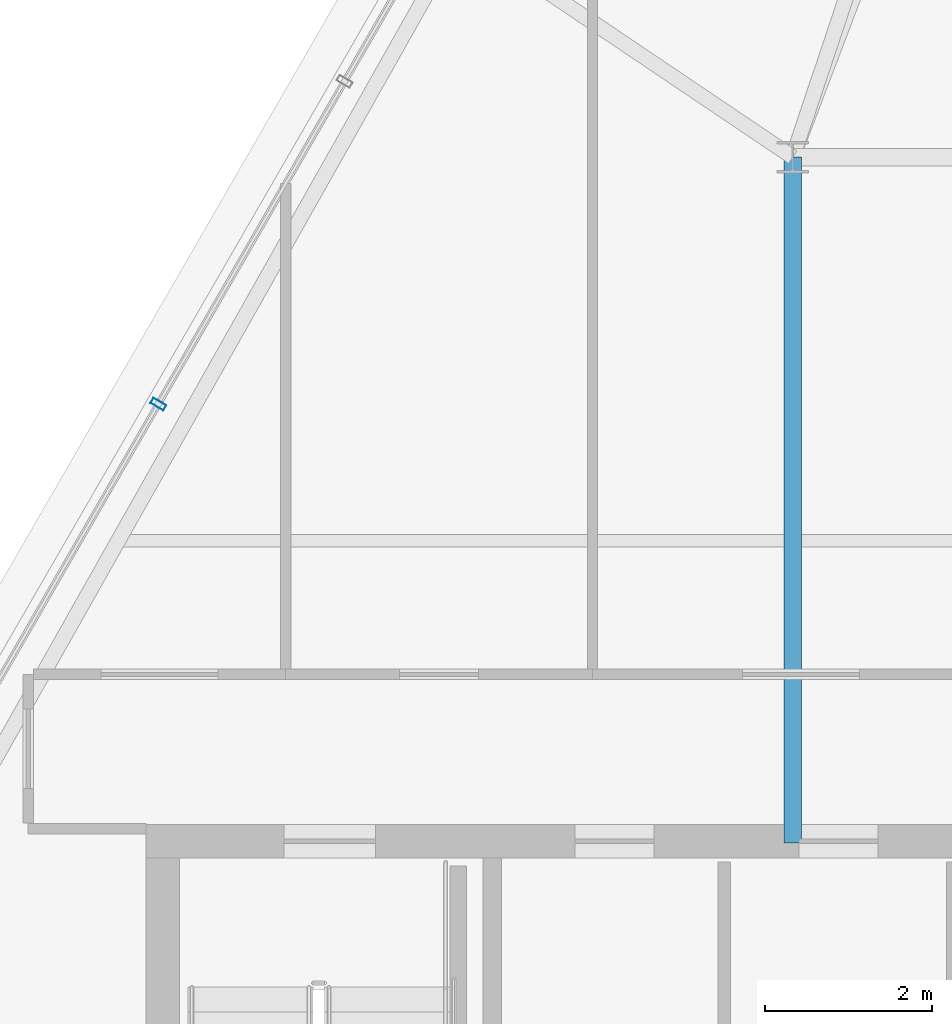
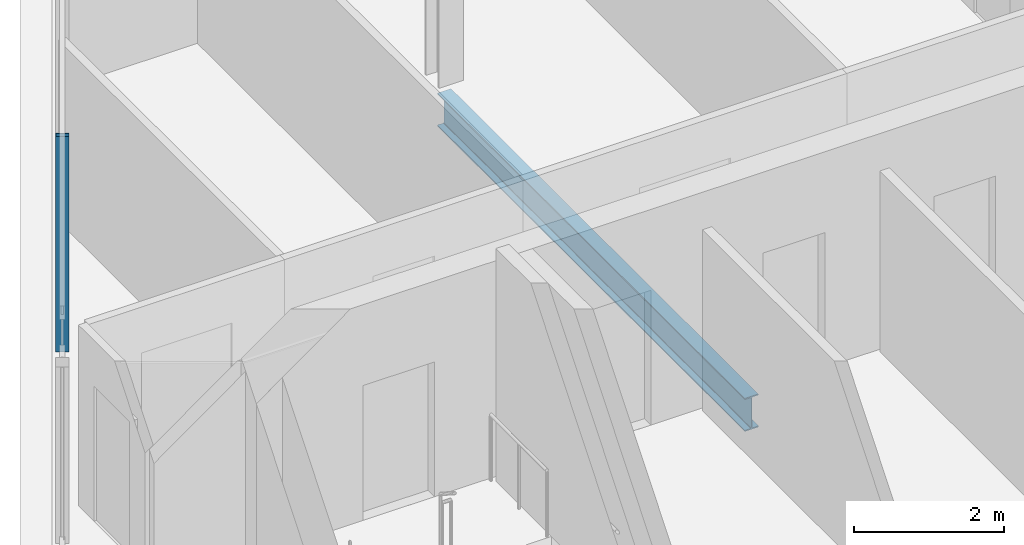
# One storey, part 6 of 32: 1 beam, 1 member, 1 element without a shape of its own.
"""IFC4 building model written with IfcOpenShell, lengths in metres."""

from ifc_helpers import new_model, si_unit, direction, frame, origin, origin_2d, place, context, subcontext, project, spatial, hollow_rectangle, i_section, extrude, material, layer, layer_set, material_profile, profile_set, type_object, element, aggregate, save


model = new_model("IFC4")

# Units and contexts
model_context = context("Model", 3, precision=1e-05, world=origin(), true_north=direction((0.0, 1.0)))
body_context = subcontext(model_context, "Body", "Model", "MODEL_VIEW")
ifc_project = project(units=[si_unit("LENGTHUNIT", "METRE"), si_unit("AREAUNIT", "SQUARE_METRE"), si_unit("VOLUMEUNIT", "CUBIC_METRE"), si_unit("PLANEANGLEUNIT", "RADIAN"), si_unit("MASSUNIT", "GRAM", prefix="KILO")], contexts=[model_context])

# Site, building, storey
site_placement = place(None, origin())
site = spatial("IfcSite", under=ifc_project, at=site_placement, CompositionType="ELEMENT")
building_placement = place(site_placement, origin())
building = spatial("IfcBuilding", under=site, at=building_placement, Name="Ndaravel Arena Tower", CompositionType="ELEMENT")
storey_placement = place(building_placement, frame((0.0, 0.0, 294.699951171875)))
storey = spatial("IfcBuildingStorey", under=building, at=storey_placement, Name="L72", CompositionType="ELEMENT", Elevation=294.699951171875)

# Beam
ifc_material_1 = material(Name="Steel S355", Category="steel")
ifc_material_profile_1 = material_profile(ifc_material_1, i_section(OverallWidth=0.210693359375, OverallDepth=0.53955078125, WebThickness=0.01171875, FlangeThickness=0.018798828125, FilletRadius=0.0126953125, at=origin_2d()), Name="UB 533x210x109")
ifc_profile_set_1 = profile_set([ifc_material_profile_1], Name="Steel S355")
beam_type = type_object("IfcBeamType", Name="BM-GIRD-UB533", PredefinedType="BEAM", material=ifc_profile_set_1)
beam_placement = place(storey_placement, frame((34.199951171875, 14.97998046875, -0.48974609375), z_axis=(0.0, 1.0, 0.0), x_axis=(-1.0, 0.0, 0.0)))
element("IfcBeam", 1, at=beam_placement, inside=storey, type_object=beam_type, Name="L72 Spine Link Girder SLG-01", PredefinedType="BEAM", context=body_context, shape_type="SweptSolid", body=[
    extrude(i_section(OverallWidth=0.210693359375, OverallDepth=0.53955078125, WebThickness=0.01171875, FlangeThickness=0.018798828125, FilletRadius=0.0126953125, at=origin_2d()), origin(), (0.0, 0.0, 1.0), 8.219970703125),
])

# Curtain wall, member
ifc_material_2 = material(Name="Aluminium", Category="aluminium")
ifc_layer = layer(ifc_material_2, 0.179931640625)
ifc_layer_set = layer_set([ifc_layer], Name="Aluminium")
curtain_wall_type = type_object("IfcCurtainWallType", Name="CW-SYS-03", PredefinedType="NOTDEFINED", material=ifc_layer_set)
curtain_wall_placement = place(storey_placement, origin())
curtain_wall = element("IfcCurtainWall", 2, at=curtain_wall_placement, inside=storey, type_object=curtain_wall_type, Name="L72 Faceted Crystal Curtain Wall CW-L72-E05", PredefinedType="NOTDEFINED")
ifc_material_3 = material(Name="Aluminium", Category="aluminium")
ifc_material_profile_2 = material_profile(ifc_material_3, hollow_rectangle(XDim=0.074951171875, YDim=0.179931640625, WallThickness=0.00390625, at=origin_2d()), Name="CW MULLION 75x180x4")
ifc_profile_set_2 = profile_set([ifc_material_profile_2], Name="Aluminium")
member_type = type_object("IfcMemberType", Name="MEM-CW-MUL180", PredefinedType="MULLION", material=ifc_profile_set_2)
member_placement = place(storey_placement, frame((26.594970703125, 20.239013671875, 0.0), z_axis=(0.0, 0.0, 1.0), x_axis=(-0.5, -0.866025403784, 0.0)))
member = element("IfcMember", 3, at=member_placement, type_object=member_type, Name="CW-L72-E05 Mullion 06", PredefinedType="MULLION", context=body_context, shape_type="SweptSolid", body=[
    extrude(hollow_rectangle(XDim=0.074951171875, YDim=0.179931640625, WallThickness=0.00390625, at=origin_2d()), origin(), (0.0, 0.0, 1.0), 3.52001953125),
])
aggregate(curtain_wall, [member])

save(model, "model.ifc")
